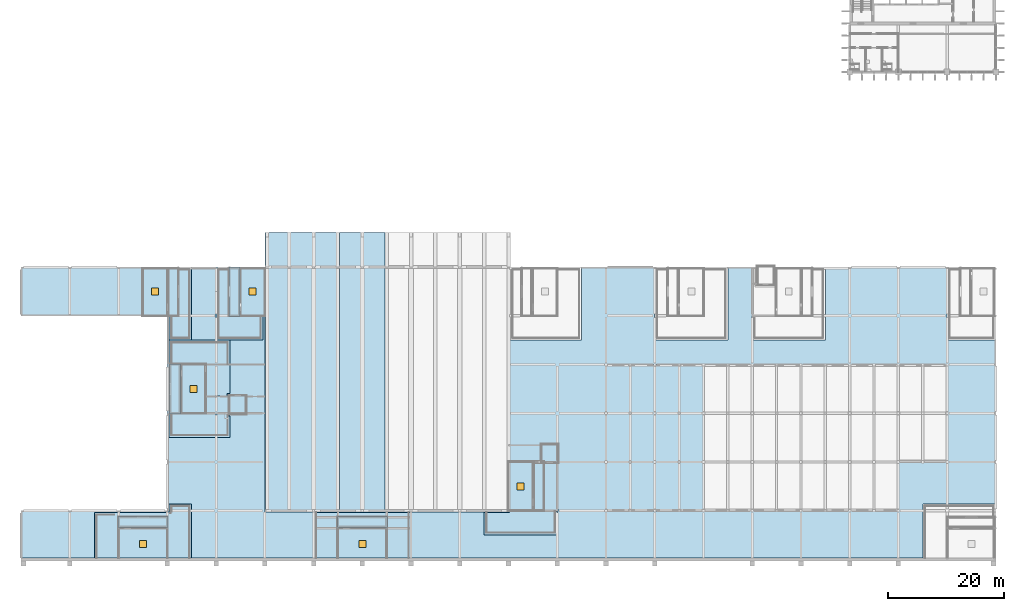
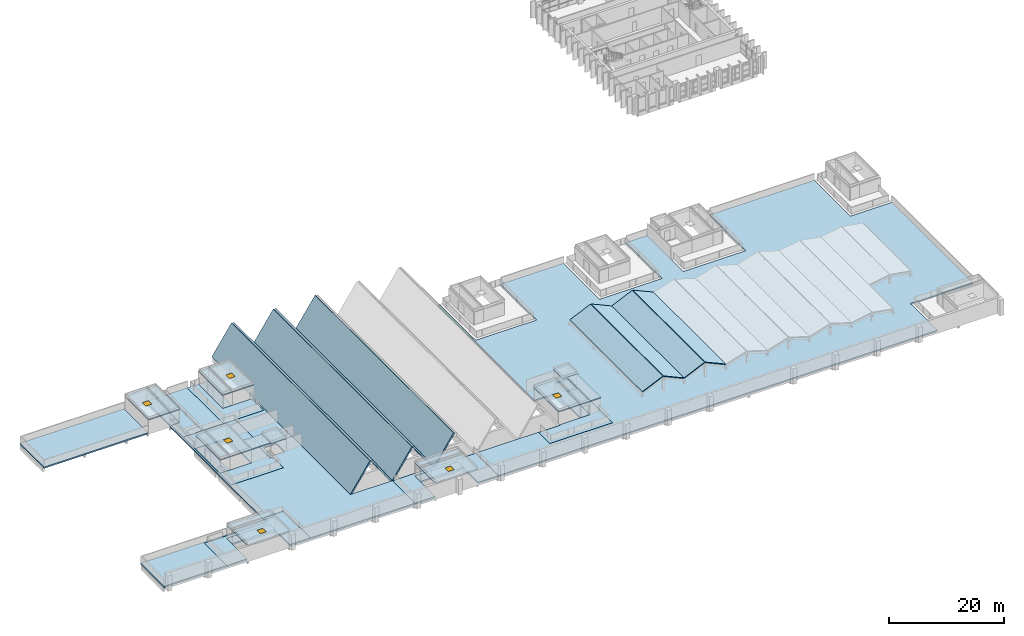
# One storey, part 7 of 24: 38 slabs, 6 windows, 6 openings.
"""IFC4 building model written with IfcOpenShell, lengths in metres."""

from ifc_helpers import new_model, si_unit, direction, frame, origin, origin_2d, place, context, subcontext, project, spatial, polyline, rectangle, outline, extrude, material, layer, layer_set, type_object, element, fill, save


model = new_model("IFC4")

# Units and contexts
model_context = context("Model", 3, precision=1e-05, world=origin(), true_north=direction((0.0, 1.0)))
body_context = subcontext(model_context, "Body", "Model", "MODEL_VIEW")
ifc_project = project(units=[si_unit("LENGTHUNIT", "METRE"), si_unit("AREAUNIT", "SQUARE_METRE"), si_unit("VOLUMEUNIT", "CUBIC_METRE"), si_unit("PLANEANGLEUNIT", "RADIAN"), si_unit("MASSUNIT", "GRAM", prefix="KILO")], contexts=[model_context])

# Site, building, storey
site_placement = place(None, origin())
site = spatial("IfcSite", under=ifc_project, at=site_placement, CompositionType="ELEMENT")
building_placement = place(site_placement, origin())
building = spatial("IfcBuilding", under=site, at=building_placement, Name="Rulbaag Community and Learning Centre", CompositionType="ELEMENT")
storey_placement = place(building_placement, frame((0.0, 0.0, 14.39990234375)))
storey = spatial("IfcBuildingStorey", under=building, at=storey_placement, Name="L03", CompositionType="ELEMENT", Elevation=14.39990234375)

# Slab, opening, window
ifc_material_1 = material(Name="Concrete M40", Category="concrete")
ifc_layer_1 = layer(ifc_material_1, 0.199951171875)
ifc_layer_set_1 = layer_set([ifc_layer_1], Name="S12 Head roof slab 200 Concrete M40")
slab_type_1 = type_object("IfcSlabType", Name="S12 Head roof slab 200 Concrete M40", PredefinedType="ROOF", material=ifc_layer_set_1)
slab_1_placement = place(storey_placement, frame((0.0, 0.0, 2.7001953125)))
slab_1 = element("IfcSlab", 1, at=slab_1_placement, inside=storey, type_object=slab_type_1, Name="SL-HEAD-SH0", PredefinedType="ROOF", context=body_context, shape_type="SweptSolid", body=[
    extrude(outline(polyline([(25.300048828125, 41.89990234375), (20.89990234375, 41.89990234375), (20.89990234375, 50.22509765625), (25.300048828125, 50.22509765625), (25.300048828125, 41.89990234375)])), origin(), (0.0, 0.0, 1.0), 0.199951171875),
])
opening_1_placement = place(slab_1_placement, frame((23.10009765625, 46.199951171875, 0.0)))
opening_1 = element("IfcOpeningElement", 2, at=opening_1_placement, cuts=slab_1, Name="Opening SK1", PredefinedType="OPENING", context=body_context, shape_type="SweptSolid", body=[
    extrude(rectangle(XDim=1.199951171875, YDim=1.199951171875, at=origin_2d()), origin(), (0.0, 0.0, 1.0), 0.199951171875),
])
ifc_material_2 = material(Name="Aluminium", Category="aluminium")
window_type = type_object("IfcWindowType", Name="SK-1212", PartitioningType="SINGLE_PANEL", PredefinedType="SKYLIGHT", material=ifc_material_2)
window_1_placement = place(opening_1_placement, frame((0.0, 0.0, 0.14990234375)))
window_1 = element("IfcWindow", 3, at=window_1_placement, inside=storey, type_object=window_type, Name="Stair rooflight", OverallHeight=1.199951171875, OverallWidth=1.199951171875, PartitioningType="SINGLE_PANEL", PredefinedType="SKYLIGHT", context=body_context, shape_type="SweptSolid", body=[
    extrude(rectangle(XDim=1.199951171875, YDim=1.199951171875, at=origin_2d()), origin(), (0.0, 0.0, 1.0), 0.050048828125),
])
fill(opening_1, window_1)

# Slab
slab_2_placement = place(storey_placement, frame((0.0, 0.0, 2.7001953125)))
element("IfcSlab", 4, at=slab_2_placement, inside=storey, type_object=slab_type_1, Name="SL-HEAD-SH0-LB", PredefinedType="ROOF", context=body_context, shape_type="SweptSolid", body=[
    extrude(outline(polyline([(27.199951171875, 50.22509765625), (27.199951171875, 41.89990234375), (25.300048828125, 41.89990234375), (25.300048828125, 50.22509765625), (27.199951171875, 50.22509765625)])), origin(), (0.0, 0.0, 1.0), 0.199951171875),
])

# Slab, opening, window
slab_3_placement = place(storey_placement, frame((0.0, 0.0, 2.7001953125)))
slab_3 = element("IfcSlab", 5, at=slab_3_placement, inside=storey, type_object=slab_type_1, Name="SL-HEAD-SH1", PredefinedType="ROOF", context=body_context, shape_type="SweptSolid", body=[
    extrude(outline(polyline([(31.89990234375, 25.10009765625), (27.5, 25.10009765625), (27.5, 33.699951171875), (31.89990234375, 33.699951171875), (31.89990234375, 25.10009765625)])), origin(), (0.0, 0.0, 1.0), 0.199951171875),
])
opening_2_placement = place(slab_3_placement, frame((29.699951171875, 29.39990234375, 0.0)))
opening_2 = element("IfcOpeningElement", 6, at=opening_2_placement, cuts=slab_3, Name="Opening SK1", PredefinedType="OPENING", context=body_context, shape_type="SweptSolid", body=[
    extrude(rectangle(XDim=1.199951171875, YDim=1.199951171875, at=origin_2d()), origin(), (0.0, 0.0, 1.0), 0.199951171875),
])
window_2_placement = place(opening_2_placement, frame((0.0, 0.0, 0.14990234375)))
window_2 = element("IfcWindow", 7, at=window_2_placement, inside=storey, type_object=window_type, Name="Stair rooflight", OverallHeight=1.199951171875, OverallWidth=1.199951171875, PartitioningType="SINGLE_PANEL", PredefinedType="SKYLIGHT", context=body_context, shape_type="SweptSolid", body=[
    extrude(rectangle(XDim=1.199951171875, YDim=1.199951171875, at=origin_2d()), origin(), (0.0, 0.0, 1.0), 0.050048828125),
])
fill(opening_2, window_2)

# Slab
slab_4_placement = place(storey_placement, frame((0.0, 0.0, 2.7001953125)))
element("IfcSlab", 8, at=slab_4_placement, inside=storey, type_object=slab_type_1, Name="SL-HEAD-SH1-LB", PredefinedType="ROOF", context=body_context, shape_type="SweptSolid", body=[
    extrude(outline(polyline([(27.5, 33.699951171875), (27.5, 25.10009765625), (25.60009765625, 25.10009765625), (25.60009765625, 33.699951171875), (27.5, 33.699951171875)])), origin(), (0.0, 0.0, 1.0), 0.199951171875),
])

# Slab, opening, window
slab_5_placement = place(storey_placement, frame((0.0, 0.0, 2.7001953125)))
slab_5 = element("IfcSlab", 9, at=slab_5_placement, inside=storey, type_object=slab_type_1, Name="SL-HEAD-SH2", PredefinedType="ROOF", context=body_context, shape_type="SweptSolid", body=[
    extrude(outline(polyline([(88.300048828125, 8.300048828125), (83.89990234375, 8.300048828125), (83.89990234375, 16.89990234375), (88.300048828125, 16.89990234375), (88.300048828125, 8.300048828125)])), origin(), (0.0, 0.0, 1.0), 0.199951171875),
])
opening_3_placement = place(slab_5_placement, frame((86.10009765625, 12.60009765625, 0.0)))
opening_3 = element("IfcOpeningElement", 10, at=opening_3_placement, cuts=slab_5, Name="Opening SK1", PredefinedType="OPENING", context=body_context, shape_type="SweptSolid", body=[
    extrude(rectangle(XDim=1.199951171875, YDim=1.199951171875, at=origin_2d()), origin(), (0.0, 0.0, 1.0), 0.199951171875),
])
window_3_placement = place(opening_3_placement, frame((0.0, 0.0, 0.14990234375)))
window_3 = element("IfcWindow", 11, at=window_3_placement, inside=storey, type_object=window_type, Name="Stair rooflight", OverallHeight=1.199951171875, OverallWidth=1.199951171875, PartitioningType="SINGLE_PANEL", PredefinedType="SKYLIGHT", context=body_context, shape_type="SweptSolid", body=[
    extrude(rectangle(XDim=1.199951171875, YDim=1.199951171875, at=origin_2d()), origin(), (0.0, 0.0, 1.0), 0.050048828125),
])
fill(opening_3, window_3)

# Slab
slab_6_placement = place(storey_placement, frame((0.0, 0.0, 2.7001953125)))
element("IfcSlab", 12, at=slab_6_placement, inside=storey, type_object=slab_type_1, Name="SL-HEAD-SH2-LB", PredefinedType="ROOF", context=body_context, shape_type="SweptSolid", body=[
    extrude(outline(polyline([(89.550048828125, 16.89990234375), (89.550048828125, 16.550048828125), (90.199951171875, 16.550048828125), (90.199951171875, 8.300048828125), (88.300048828125, 8.300048828125), (88.300048828125, 16.89990234375), (89.550048828125, 16.89990234375)])), origin(), (0.0, 0.0, 1.0), 0.199951171875),
])

# Slab, opening, window
slab_7_placement = place(storey_placement, frame((0.0, 0.0, 2.7001953125)))
slab_7 = element("IfcSlab", 13, at=slab_7_placement, inside=storey, type_object=slab_type_1, Name="SL-HEAD-SH5", PredefinedType="ROOF", context=body_context, shape_type="SweptSolid", body=[
    extrude(outline(polyline([(42.10009765625, 41.89990234375), (37.699951171875, 41.89990234375), (37.699951171875, 50.22509765625), (42.10009765625, 50.22509765625), (42.10009765625, 41.89990234375)])), origin(), (0.0, 0.0, 1.0), 0.199951171875),
])
opening_4_placement = place(slab_7_placement, frame((39.89990234375, 46.199951171875, 0.0)))
opening_4 = element("IfcOpeningElement", 14, at=opening_4_placement, cuts=slab_7, Name="Opening SK1", PredefinedType="OPENING", context=body_context, shape_type="SweptSolid", body=[
    extrude(rectangle(XDim=1.199951171875, YDim=1.199951171875, at=origin_2d()), origin(), (0.0, 0.0, 1.0), 0.199951171875),
])
window_4_placement = place(opening_4_placement, frame((0.0, 0.0, 0.14990234375)))
window_4 = element("IfcWindow", 15, at=window_4_placement, inside=storey, type_object=window_type, Name="Stair rooflight", OverallHeight=1.199951171875, OverallWidth=1.199951171875, PartitioningType="SINGLE_PANEL", PredefinedType="SKYLIGHT", context=body_context, shape_type="SweptSolid", body=[
    extrude(rectangle(XDim=1.199951171875, YDim=1.199951171875, at=origin_2d()), origin(), (0.0, 0.0, 1.0), 0.050048828125),
])
fill(opening_4, window_4)

# Slab
slab_8_placement = place(storey_placement, frame((0.0, 0.0, 2.7001953125)))
element("IfcSlab", 16, at=slab_8_placement, inside=storey, type_object=slab_type_1, Name="SL-HEAD-SH5-LB", PredefinedType="ROOF", context=body_context, shape_type="SweptSolid", body=[
    extrude(outline(polyline([(37.699951171875, 50.22509765625), (37.699951171875, 41.89990234375), (35.800048828125, 41.89990234375), (35.800048828125, 50.22509765625), (37.699951171875, 50.22509765625)])), origin(), (0.0, 0.0, 1.0), 0.199951171875),
])

# Slab, opening, window
slab_9_placement = place(storey_placement, frame((0.0, 0.0, 2.7001953125)))
slab_9 = element("IfcSlab", 17, at=slab_9_placement, inside=storey, type_object=slab_type_1, Name="SL-HEAD-SH8", PredefinedType="ROOF", context=body_context, shape_type="SweptSolid", body=[
    extrude(outline(polyline([(63.10009765625, 0.22509765625), (63.10009765625, 5.5), (54.5, 5.5), (54.5, 0.22509765625), (63.10009765625, 0.22509765625)])), origin(), (0.0, 0.0, 1.0), 0.199951171875),
])
opening_5_placement = place(slab_9_placement, frame((58.800048828125, 2.699951171875, 0.0)))
opening_5 = element("IfcOpeningElement", 18, at=opening_5_placement, cuts=slab_9, Name="Opening SK1", PredefinedType="OPENING", context=body_context, shape_type="SweptSolid", body=[
    extrude(rectangle(XDim=1.199951171875, YDim=1.199951171875, at=origin_2d()), origin(), (0.0, 0.0, 1.0), 0.199951171875),
])
window_5_placement = place(opening_5_placement, frame((0.0, 0.0, 0.14990234375)))
window_5 = element("IfcWindow", 19, at=window_5_placement, inside=storey, type_object=window_type, Name="Stair rooflight", OverallHeight=1.199951171875, OverallWidth=1.199951171875, PartitioningType="SINGLE_PANEL", PredefinedType="SKYLIGHT", context=body_context, shape_type="SweptSolid", body=[
    extrude(rectangle(XDim=1.199951171875, YDim=1.199951171875, at=origin_2d()), origin(), (0.0, 0.0, 1.0), 0.050048828125),
])
fill(opening_5, window_5)

# Slab
slab_10_placement = place(storey_placement, frame((0.0, 0.0, 2.7001953125)))
element("IfcSlab", 20, at=slab_10_placement, inside=storey, type_object=slab_type_1, Name="SL-HEAD-SH8-LB", PredefinedType="ROOF", context=body_context, shape_type="SweptSolid", body=[
    extrude(outline(polyline([(63.10009765625, 7.39990234375), (63.10009765625, 5.5), (54.5, 5.5), (54.5, 7.39990234375), (63.10009765625, 7.39990234375)])), origin(), (0.0, 0.0, 1.0), 0.199951171875),
])

# Slab, opening, window
slab_11_placement = place(storey_placement, frame((0.0, 0.0, 2.7001953125)))
slab_11 = element("IfcSlab", 21, at=slab_11_placement, inside=storey, type_object=slab_type_1, Name="SL-HEAD-SH9", PredefinedType="ROOF", context=body_context, shape_type="SweptSolid", body=[
    extrude(outline(polyline([(25.300048828125, 0.22509765625), (25.300048828125, 5.5), (16.699951171875, 5.5), (16.699951171875, 0.22509765625), (25.300048828125, 0.22509765625)])), origin(), (0.0, 0.0, 1.0), 0.199951171875),
])
opening_6_placement = place(slab_11_placement, frame((21.0, 2.699951171875, 0.0)))
opening_6 = element("IfcOpeningElement", 22, at=opening_6_placement, cuts=slab_11, Name="Opening SK1", PredefinedType="OPENING", context=body_context, shape_type="SweptSolid", body=[
    extrude(rectangle(XDim=1.199951171875, YDim=1.199951171875, at=origin_2d()), origin(), (0.0, 0.0, 1.0), 0.199951171875),
])
window_6_placement = place(opening_6_placement, frame((0.0, 0.0, 0.14990234375)))
window_6 = element("IfcWindow", 23, at=window_6_placement, inside=storey, type_object=window_type, Name="Stair rooflight", OverallHeight=1.199951171875, OverallWidth=1.199951171875, PartitioningType="SINGLE_PANEL", PredefinedType="SKYLIGHT", context=body_context, shape_type="SweptSolid", body=[
    extrude(rectangle(XDim=1.199951171875, YDim=1.199951171875, at=origin_2d()), origin(), (0.0, 0.0, 1.0), 0.050048828125),
])
fill(opening_6, window_6)

# Slabs
slab_12_placement = place(storey_placement, frame((0.0, 0.0, 2.7001953125)))
element("IfcSlab", 24, at=slab_12_placement, inside=storey, type_object=slab_type_1, Name="SL-HEAD-SH9-LB", PredefinedType="ROOF", context=body_context, shape_type="SweptSolid", body=[
    extrude(outline(polyline([(25.300048828125, 7.39990234375), (25.300048828125, 5.5), (16.699951171875, 5.5), (16.699951171875, 7.39990234375), (25.300048828125, 7.39990234375)])), origin(), (0.0, 0.0, 1.0), 0.199951171875),
])
slab_13_placement = place(storey_placement, frame((0.0, 0.0, 2.7001953125)))
element("IfcSlab", 25, at=slab_13_placement, inside=storey, type_object=slab_type_1, Name="SL-HEAD-LH1", PredefinedType="ROOF", context=body_context, shape_type="SweptSolid", body=[
    extrude(outline(polyline([(38.85009765625, 24.949951171875), (35.75, 24.949951171875), (35.75, 28.35009765625), (38.85009765625, 28.35009765625), (38.85009765625, 24.949951171875)])), origin(), (0.0, 0.0, 1.0), 0.199951171875),
])
slab_14_placement = place(storey_placement, frame((0.0, 0.0, 2.7001953125)))
element("IfcSlab", 26, at=slab_14_placement, inside=storey, type_object=slab_type_1, Name="SL-HEAD-LH2", PredefinedType="ROOF", context=body_context, shape_type="SweptSolid", body=[
    extrude(outline(polyline([(92.64990234375, 16.550048828125), (89.550048828125, 16.550048828125), (89.550048828125, 19.949951171875), (92.64990234375, 19.949951171875), (92.64990234375, 16.550048828125)])), origin(), (0.0, 0.0, 1.0), 0.199951171875),
])
slab_15_placement = place(storey_placement, frame((0.0, 0.0, 2.7001953125)))
element("IfcSlab", 27, at=slab_15_placement, inside=storey, type_object=slab_type_1, Name="SL-HEAD-LH1-RS", PredefinedType="ROOF", context=body_context, shape_type="SweptSolid", body=[
    extrude(outline(polyline([(35.75, 28.199951171875), (35.75, 25.10009765625), (31.89990234375, 25.10009765625), (31.89990234375, 28.199951171875), (35.75, 28.199951171875)])), origin(), (0.0, 0.0, 1.0), 0.199951171875),
])
slab_16_placement = place(storey_placement, frame((0.0, 0.0, 2.7001953125)))
element("IfcSlab", 28, at=slab_16_placement, inside=storey, type_object=slab_type_1, Name="SL-HEAD-LH2-LB", PredefinedType="ROOF", context=body_context, shape_type="SweptSolid", body=[
    extrude(outline(polyline([(92.5, 8.300048828125), (90.199951171875, 8.300048828125), (90.199951171875, 16.550048828125), (92.5, 16.550048828125), (92.5, 8.300048828125)])), origin(), (0.0, 0.0, 1.0), 0.199951171875),
])
ifc_layer_2 = layer(ifc_material_1, 0.175048828125)
ifc_layer_set_2 = layer_set([ifc_layer_2], Name="S22 Folded roof plate 175 Concrete M40")
slab_type_2 = type_object("IfcSlabType", Name="S22 Folded roof plate 175 Concrete M40", PredefinedType="ROOF", material=ifc_layer_set_2)
for number, where, z_axis, x_axis, name in (
    (29, (100.800048828125, 8.39990234375, 1.10009765625), (-0.412174260095, 0.0, 0.911105031989), (0.911105031989, 0.0, 0.412174260095), "SL-RF-B13-1a"),
    (30, (105.072021484375, 8.39990234375, 2.967529296875), (0.412174260095, 0.0, 0.911105031989), (0.911105031989, 0.0, -0.412174260095), "SL-RF-B13-1b"),
    (31, (109.199951171875, 8.39990234375, 1.10009765625), (-0.412174260095, 0.0, 0.911105031989), (0.911105031989, 0.0, 0.412174260095), "SL-RF-B13-2a"),
    (32, (113.47216796875, 8.39990234375, 2.967529296875), (0.412174260095, 0.0, 0.911105031989), (0.911105031989, 0.0, -0.412174260095), "SL-RF-B13-2b"),
):
    element("IfcSlab", number, at=place(storey_placement, frame(where, z_axis=z_axis, x_axis=x_axis)), inside=storey, type_object=slab_type_2, Name=name, PredefinedType="ROOF", context=body_context, shape_type="SweptSolid", body=[
        extrude(outline(polyline([(0.0, 0.0), (4.530684764729415, 0.0), (4.530684764729415, 25.200195312500007), (0.0, 25.200195312500007), (0.0, 0.0)])), origin(), (0.0, 0.0, -1.0), 0.175048828125),
    ])
ifc_layer_3 = layer(ifc_material_1, 0.300048828125)
ifc_layer_set_3 = layer_set([ifc_layer_3], Name="S3 Folded roof plate 300 Concrete M40")
slab_type_3 = type_object("IfcSlabType", Name="S3 Folded roof plate 300 Concrete M40", PredefinedType="ROOF", material=ifc_layer_set_3)
slab_17_placement = place(storey_placement, frame((42.0, 8.14990234375, 0.0), z_axis=(-0.827922842513, 0.0, 0.560842015942), x_axis=(0.560842015942, 0.0, 0.827922842513)))
element("IfcSlab", 33, at=slab_17_placement, inside=storey, type_object=slab_type_3, Name="SL-FP-M1a", PredefinedType="ROOF", context=body_context, shape_type="SweptSolid", body=[
    extrude(outline(polyline([(0.0, 0.0), (7.0459417160724716, 0.0), (7.0459417160724716, 48.25), (0.0, 48.25), (0.0, 0.0)])), origin(), (0.0, 0.0, -1.0), 0.300048828125),
])
slab_18_placement = place(storey_placement, frame((46.448486328125, 8.14990234375, 5.83349609375), z_axis=(0.827938931572, 0.0, 0.560818264313), x_axis=(0.560818264313, 0.0, -0.827938931572)))
element("IfcSlab", 34, at=slab_18_placement, inside=storey, type_object=slab_type_3, Name="SL-FP-M1b", PredefinedType="ROOF", context=body_context, shape_type="SweptSolid", body=[
    extrude(outline(polyline([(0.0, 0.0), (7.045804794651515, 0.0), (7.045804794651515, 48.25), (0.0, 48.25), (0.0, 0.0)])), origin(), (0.0, 0.0, -1.0), 0.300048828125),
])
for number, where, z_axis, x_axis, name in (
    (35, (50.39990234375, 8.14990234375, 0.0), (-0.827922842513, 0.0, 0.560842015942), (0.560842015942, 0.0, 0.827922842513), "SL-FP-M2a"),
    (36, (54.848388671875, 8.14990234375, 5.83349609375), (0.827922842513, 0.0, 0.560842015942), (0.560842015942, 0.0, -0.827922842513), "SL-FP-M2b"),
    (37, (58.800048828125, 8.14990234375, 0.0), (-0.827922842513, 0.0, 0.560842015942), (0.560842015942, 0.0, 0.827922842513), "SL-FP-M3a"),
):
    element("IfcSlab", number, at=place(storey_placement, frame(where, z_axis=z_axis, x_axis=x_axis)), inside=storey, type_object=slab_type_3, Name=name, PredefinedType="ROOF", context=body_context, shape_type="SweptSolid", body=[
        extrude(outline(polyline([(0.0, 0.0), (7.0459417160724716, 0.0), (7.0459417160724716, 48.25), (0.0, 48.25), (0.0, 0.0)])), origin(), (0.0, 0.0, -1.0), 0.300048828125),
    ])
ifc_layer_4 = layer(ifc_material_1, 0.300048828125)
ifc_layer_set_4 = layer_set([ifc_layer_4], Name="S6 Terrace slab 300 Concrete M40")
slab_type_4 = type_object("IfcSlabType", Name="S6 Terrace slab 300 Concrete M40", PredefinedType="ROOF", material=ifc_layer_set_4)
slab_19_placement = place(storey_placement, frame((0.0, 0.0, -0.2998046875)))
element("IfcSlab", 38, at=slab_19_placement, inside=storey, type_object=slab_type_4, Name="Refuge terrace SH0", PredefinedType="ROOF", context=body_context, shape_type="SweptSolid", body=[
    extrude(outline(polyline([(25.5, 37.801025390625), (25.499755859375, 37.801025390625), (25.499755859375, 37.801025390625), (25.49951171875, 37.80078125), (25.49951171875, 37.80078125), (25.49951171875, 37.80078125), (25.49951171875, 37.80078125), (25.4990234375, 41.898193359375), (25.4990234375, 41.898193359375), (25.4990234375, 41.89892578125), (27.200927734375, 41.89990234375), (27.200927734375, 49.979248046875), (27.200927734375, 50.270751953125), (27.200927734375, 50.39990234375), (29.39990234375, 50.39990234375), (29.39990234375, 37.800048828125), (25.5, 37.800048828125), (25.5, 37.801025390625), (25.5, 37.801025390625)])), origin(), (0.0, 0.0, 1.0), 0.2998046875),
])
slab_20_placement = place(storey_placement, frame((0.0, 0.0, -0.2998046875)))
element("IfcSlab", 39, at=slab_20_placement, inside=storey, type_object=slab_type_4, Name="Refuge terrace SH1", PredefinedType="ROOF", context=body_context, shape_type="SweptSolid", body=[
    extrude(outline(polyline([(25.5, 21.0), (25.5, 33.654541015625), (25.499755859375, 33.654052734375), (25.49951171875, 37.79931640625), (25.49951171875, 37.79931640625), (25.49951171875, 37.799072265625), (25.49951171875, 37.799072265625), (25.499755859375, 37.799072265625), (25.499755859375, 37.799072265625), (25.5, 37.799072265625), (25.5, 37.799072265625), (25.5, 37.800048828125), (36.0, 37.800048828125), (36.0, 28.60009765625), (35.5, 28.60009765625), (35.5, 24.699951171875), (36.0, 24.699951171875), (36.0, 21.0), (25.5, 21.0)]), holes=[polyline([(31.89990234375, 25.10009765625), (31.89990234375, 33.699951171875), (27.581787109375, 33.70068359375), (27.500732421875, 33.70068359375), (25.60009765625, 33.700927734375), (25.60009765625, 33.700927734375), (25.59912109375, 33.700927734375), (25.59912109375, 33.699951171875), (25.59912109375, 25.10009765625), (25.59912109375, 25.09912109375), (25.60009765625, 25.09912109375), (25.60009765625, 25.09912109375), (31.89990234375, 25.10009765625)])]), origin(), (0.0, 0.0, 1.0), 0.2998046875),
])
slab_21_placement = place(storey_placement, frame((0.0, 0.0, -0.2998046875)))
element("IfcSlab", 40, at=slab_21_placement, inside=storey, type_object=slab_type_4, Name="Refuge terrace SH2", PredefinedType="ROOF", context=body_context, shape_type="SweptSolid", body=[
    extrude(outline(polyline([(84.0, 8.10009765625), (84.0, 8.10009765625), (84.0380859375, 8.10400390625), (84.037841796875, 8.10400390625), (84.05908203125, 8.10595703125), (84.114990234375, 8.123046875), (84.1669921875, 8.15087890625), (84.2119140625, 8.18798828125), (84.2490234375, 8.23291015625), (84.277099609375, 8.284912109375), (84.281494140625, 8.300048828125), (88.189453125, 8.29931640625), (88.189208984375, 8.300048828125), (88.189208984375, 8.31005859375), (88.199951171875, 8.31005859375), (88.199951171875, 8.300048828125), (88.299072265625, 8.300048828125), (88.299072265625, 8.2998046875), (88.299072265625, 8.2998046875), (88.299072265625, 8.2998046875), (88.299072265625, 8.299560546875), (88.299072265625, 8.299560546875), (88.29931640625, 8.29931640625), (88.29931640625, 8.29931640625), (88.29931640625, 8.29931640625), (90.199951171875, 8.299072265625), (90.2001953125, 8.299072265625), (90.2001953125, 8.299072265625), (90.2001953125, 8.299072265625), (90.200439453125, 8.299072265625), (90.200439453125, 8.299072265625), (90.20068359375, 8.29931640625), (90.20068359375, 8.29931640625), (90.20068359375, 8.29931640625), (90.20068359375, 8.29931640625), (90.20068359375, 8.29931640625), (90.200927734375, 8.299560546875), (90.200927734375, 8.299560546875), (90.200927734375, 8.2998046875), (90.200927734375, 8.2998046875), (90.200927734375, 8.2998046875), (90.200927734375, 8.300048828125), (90.200927734375, 8.300048828125), (90.200927734375, 16.300048828125), (92.39990234375, 16.300048828125), (92.39990234375, 4.199951171875), (79.800048828125, 4.199951171875), (79.800048828125, 8.10009765625), (84.0, 8.10009765625), (84.0, 8.10009765625)])), origin(), (0.0, 0.0, 1.0), 0.2998046875),
])
slab_22_placement = place(storey_placement, frame((0.0, 0.0, -0.2998046875)))
element("IfcSlab", 41, at=slab_22_placement, inside=storey, type_object=slab_type_4, Name="Refuge terrace SH5", PredefinedType="ROOF", context=body_context, shape_type="SweptSolid", body=[
    extrude(outline(polyline([(37.70068359375, 41.8994140625), (37.700927734375, 41.8994140625), (37.700927734375, 41.899658203125), (37.700927734375, 41.899658203125), (37.700927734375, 41.89990234375), (37.700927734375, 41.89990234375), (37.700927734375, 41.89990234375), (37.800048828125, 41.89990234375), (37.800048828125, 41.909912109375), (37.810791015625, 41.909912109375), (37.810791015625, 41.89990234375), (37.810546875, 41.8994140625), (41.699951171875, 41.89990234375), (41.699951171875, 37.800048828125), (33.60009765625, 37.800048828125), (33.60009765625, 50.39990234375), (35.7890625, 50.39990234375), (35.7890625, 50.410888671875), (35.799072265625, 50.410888671875), (35.800048828125, 50.410888671875), (35.800048828125, 50.40087890625), (35.7998046875, 50.40087890625), (35.7998046875, 50.40087890625), (35.7998046875, 50.40087890625), (35.799560546875, 50.40087890625), (35.799560546875, 50.40087890625), (35.79931640625, 50.40087890625), (35.79931640625, 50.40087890625), (35.79931640625, 50.400634765625), (35.79931640625, 50.400634765625), (35.79931640625, 50.400634765625), (35.799072265625, 50.400390625), (35.799072265625, 50.400390625), (35.799072265625, 50.400390625), (35.799072265625, 50.400146484375), (35.799072265625, 50.400146484375), (35.799072265625, 50.39990234375), (35.799072265625, 50.270751953125), (35.799072265625, 49.979248046875), (35.799072265625, 41.89990234375), (35.799072265625, 41.89990234375), (35.799072265625, 41.89990234375), (35.799072265625, 41.899658203125), (35.799072265625, 41.899658203125), (35.799072265625, 41.8994140625), (35.79931640625, 41.8994140625), (35.79931640625, 41.8994140625), (35.79931640625, 41.8994140625), (35.79931640625, 41.899169921875), (35.79931640625, 41.899169921875), (35.799560546875, 41.899169921875), (35.799560546875, 41.899169921875), (35.7998046875, 41.89892578125), (35.7998046875, 41.89892578125), (35.7998046875, 41.89892578125), (35.800048828125, 41.89892578125), (37.70068359375, 41.8994140625), (37.70068359375, 41.8994140625), (37.70068359375, 41.8994140625)])), origin(), (0.0, 0.0, 1.0), 0.2998046875),
])
slab_23_placement = place(storey_placement, frame((0.0, 0.0, -0.2998046875)))
element("IfcSlab", 42, at=slab_23_placement, inside=storey, type_object=slab_type_4, Name="Refuge terrace SH8", PredefinedType="ROOF", context=body_context, shape_type="SweptSolid", body=[
    extrude(outline(polyline([(63.10009765625, 7.40087890625), (54.5, 7.40087890625), (54.5, 0.22509765625), (50.39990234375, 0.22509765625), (50.39990234375, 8.10009765625), (67.199951171875, 8.10009765625), (67.199951171875, 0.22509765625), (63.10009765625, 0.22509765625), (63.10009765625, 7.40087890625)])), origin(), (0.0, 0.0, 1.0), 0.2998046875),
])
slab_24_placement = place(storey_placement, frame((0.0, 0.0, -0.2998046875)))
element("IfcSlab", 43, at=slab_24_placement, inside=storey, type_object=slab_type_4, Name="Refuge terrace SH9", PredefinedType="ROOF", context=body_context, shape_type="SweptSolid", body=[
    extrude(outline(polyline([(25.300048828125, 7.40087890625), (16.699951171875, 7.40087890625), (16.699951171875, 0.22509765625), (12.60009765625, 0.22509765625), (12.60009765625, 8.10009765625), (25.22900390625, 8.10107421875), (25.287109375, 8.113037109375), (25.29296875, 8.114990234375), (25.292724609375, 8.114990234375), (25.306640625, 8.1201171875), (25.31494140625, 8.123046875), (25.366943359375, 8.15087890625), (25.389892578125, 8.16796875), (25.431884765625, 8.2099609375), (25.465087890625, 8.259033203125), (25.47705078125, 8.284912109375), (25.493896484375, 8.341064453125), (25.494384765625, 8.3447265625), (25.494384765625, 8.3447265625), (25.5, 8.39990234375), (25.5, 8.400146484375), (25.5, 8.400146484375), (25.5, 9.60009765625), (29.39990234375, 9.60009765625), (29.39990234375, 0.22509765625), (25.300048828125, 0.22509765625), (25.300048828125, 7.40087890625)])), origin(), (0.0, 0.0, 1.0), 0.2998046875),
])
ifc_layer_5 = layer(ifc_material_1, 0.300048828125)
ifc_layer_set_5 = layer_set([ifc_layer_5], Name="S7 Roof slab 300 Concrete M40")
slab_type_5 = type_object("IfcSlabType", Name="S7 Roof slab 300 Concrete M40", PredefinedType="ROOF", material=ifc_layer_set_5)
slab_25_placement = place(storey_placement, frame((0.0, 0.0, -0.2998046875)))
element("IfcSlab", 44, at=slab_25_placement, inside=storey, type_object=slab_type_5, Name="Non-accessible roof", PredefinedType="ROOF", context=body_context, shape_type="SweptSolid", body=[
    extrude(outline(polyline([(25.199951171875, 41.89990234375), (25.300048828125, 41.89990234375), (25.300048828125, 50.39990234375), (27.199951171875, 50.39990234375), (27.199951171875, 41.90087890625), (25.498046875, 41.899169921875), (25.5, 20.9990234375), (36.000732421875, 20.99951171875), (36.0009765625, 24.7001953125), (35.5009765625, 24.700927734375), (35.5009765625, 28.59912109375), (36.0009765625, 28.599853515625), (36.0009765625, 37.799072265625), (41.70068359375, 37.79931640625), (41.700927734375, 41.89990234375), (42.0, 41.89990234375), (42.0, 8.14990234375), (84.0, 8.14990234375), (84.0, 8.300048828125), (84.280517578125, 8.300048828125), (84.276123046875, 8.285400390625), (84.248291015625, 8.233642578125), (84.211181640625, 8.188720703125), (84.16650390625, 8.15185546875), (84.114501953125, 8.123779296875), (84.058837890625, 8.10693359375), (84.0, 8.10107421875), (79.79931640625, 8.1005859375), (79.79931640625, 4.19921875), (92.400146484375, 4.198974609375), (92.40087890625, 16.300537109375), (90.2001953125, 16.300537109375), (90.199951171875, 8.300048828125), (88.200927734375, 8.300048828125), (88.300048828125, 8.300048828125), (88.300048828125, 16.89990234375), (84.0, 16.89990234375), (84.0, 50.4599609375), (84.06005859375, 50.4599609375), (84.06005859375, 50.39990234375), (84.299072265625, 50.39990234375), (84.300048828125, 37.799072265625), (96.6005859375, 37.79931640625), (96.60107421875, 50.39990234375), (109.198974609375, 50.39990234375), (109.199951171875, 37.799072265625), (121.80078125, 37.79931640625), (121.801025390625, 50.39990234375), (125.9990234375, 50.39990234375), (126.0, 37.799072265625), (138.6005859375, 37.79931640625), (138.60107421875, 50.39990234375), (159.59912109375, 50.39990234375), (159.59912109375, 37.79931640625), (168.0, 37.799072265625), (168.0, 9.60107421875), (155.3994140625, 9.600830078125), (155.39892578125, 0.22509765625), (67.200927734375, 0.22509765625), (67.199951171875, 8.10107421875), (50.399658203125, 8.100830078125), (50.39892578125, 0.22509765625), (29.40087890625, 0.22509765625), (29.40087890625, 9.600341796875), (25.5, 9.60107421875), (25.4990234375, 8.400146484375), (25.492919921875, 8.34130859375), (25.47607421875, 8.285400390625), (25.464111328125, 8.259521484375), (25.43115234375, 8.210693359375), (25.389404296875, 8.168701171875), (25.366455078125, 8.15185546875), (25.314697265625, 8.123779296875), (25.28662109375, 8.114013671875), (25.22900390625, 8.10205078125), (12.599365234375, 8.100830078125), (12.59912109375, 0.22509765625), (0.0, 0.22509765625), (0.0, -0.06005859375), (-0.017333984375, -0.057373046875), (-0.033203125, -0.0498046875), (-0.0498046875, -0.033203125), (-0.059814453125, -0.005859375), (-0.059814453125, 0.23095703125), (-0.052978515625, 0.25341796875), (-0.0380859375, 0.271484375), (-0.02294921875, 0.280517578125), (0.0, 0.284912109375), (0.0, 8.39990234375), (25.199951171875, 8.39990234375), (25.199951171875, 41.89990234375)]), holes=[polyline([(92.39990234375, 16.800048828125), (92.39990234375, 19.699951171875), (89.800048828125, 19.699951171875), (89.800048828125, 16.800048828125), (92.39990234375, 16.800048828125)]), polyline([(38.60009765625, 25.199951171875), (38.60009765625, 28.10009765625), (36.0, 28.10009765625), (36.0, 25.199951171875), (38.60009765625, 25.199951171875)])]), origin(), (0.0, 0.0, 1.0), 0.2998046875),
])
slab_26_placement = place(storey_placement, frame((0.0, 0.0, -0.2998046875)))
element("IfcSlab", 45, at=slab_26_placement, inside=storey, type_object=slab_type_5, Name="Non-accessible roof", PredefinedType="ROOF", context=body_context, shape_type="SweptSolid", body=[
    extrude(outline(polyline([(0.0, 42.0), (0.0, 50.39990234375), (20.89990234375, 50.39990234375), (20.89990234375, 42.0), (0.0, 42.0)])), origin(), (0.0, 0.0, 1.0), 0.2998046875),
])
slab_27_placement = place(storey_placement, frame((0.0, 0.0, -0.2998046875)))
element("IfcSlab", 46, at=slab_27_placement, inside=storey, type_object=slab_type_5, Name="Non-accessible roof", PredefinedType="ROOF", context=body_context, shape_type="SweptSolid", body=[
    extrude(outline(polyline([(33.59912109375, 50.39990234375), (33.59912109375, 37.801025390625), (29.40087890625, 37.801025390625), (29.40087890625, 50.39990234375), (33.59912109375, 50.39990234375)])), origin(), (0.0, 0.0, 1.0), 0.2998046875),
])
slab_28_placement = place(storey_placement, frame((0.0, 0.0, -0.2998046875)))
element("IfcSlab", 47, at=slab_28_placement, inside=storey, type_object=slab_type_5, Name="Non-accessible roof", PredefinedType="ROOF", context=body_context, shape_type="SweptSolid", body=[
    extrude(outline(polyline([(27.5, 25.10009765625), (25.60009765625, 25.10009765625), (25.60009765625, 33.699951171875), (27.5, 33.699951171875), (27.5, 25.10009765625)])), origin(), (0.0, 0.0, 1.0), 0.2998046875),
])
slab_29_placement = place(storey_placement, frame((0.0, 0.0, -0.2998046875)))
element("IfcSlab", 48, at=slab_29_placement, inside=storey, type_object=slab_type_5, Name="Non-accessible roof", PredefinedType="ROOF", context=body_context, shape_type="SweptSolid", body=[
    extrude(outline(polyline([(16.699951171875, 5.5), (16.700927734375, 7.39990234375), (25.299072265625, 7.39990234375), (25.300048828125, 5.5), (16.699951171875, 5.5)])), origin(), (0.0, 0.0, 1.0), 0.2998046875),
])
slab_30_placement = place(storey_placement, frame((0.0, 0.0, -0.2998046875)))
element("IfcSlab", 49, at=slab_30_placement, inside=storey, type_object=slab_type_5, Name="Non-accessible roof", PredefinedType="ROOF", context=body_context, shape_type="SweptSolid", body=[
    extrude(outline(polyline([(54.5, 5.5), (54.5009765625, 7.39990234375), (63.09912109375, 7.39990234375), (63.10009765625, 5.5), (54.5, 5.5)])), origin(), (0.0, 0.0, 1.0), 0.2998046875),
])
slab_31_placement = place(storey_placement, frame((0.0, 0.0, -0.2998046875)))
element("IfcSlab", 50, at=slab_31_placement, inside=storey, type_object=slab_type_5, Name="Non-accessible roof", PredefinedType="ROOF", context=body_context, shape_type="SweptSolid", body=[
    extrude(outline(polyline([(37.699951171875, 50.39990234375), (37.699951171875, 41.89990234375), (35.800048828125, 41.89990234375), (35.800048828125, 50.39990234375), (37.699951171875, 50.39990234375)])), origin(), (0.0, 0.0, 1.0), 0.2998046875),
])

save(model, "model.ifc")
